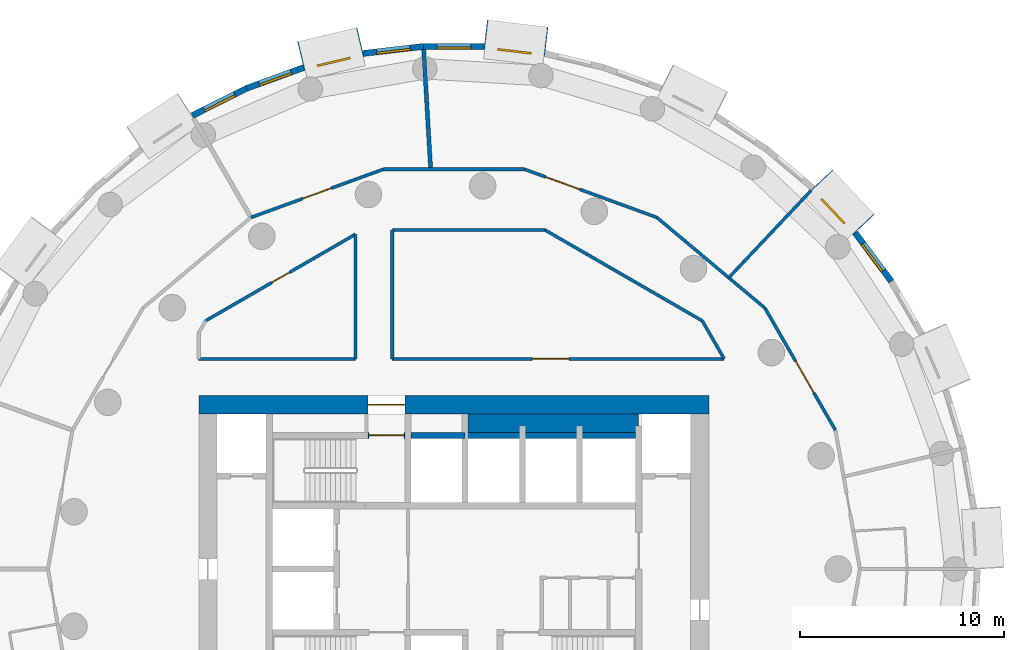
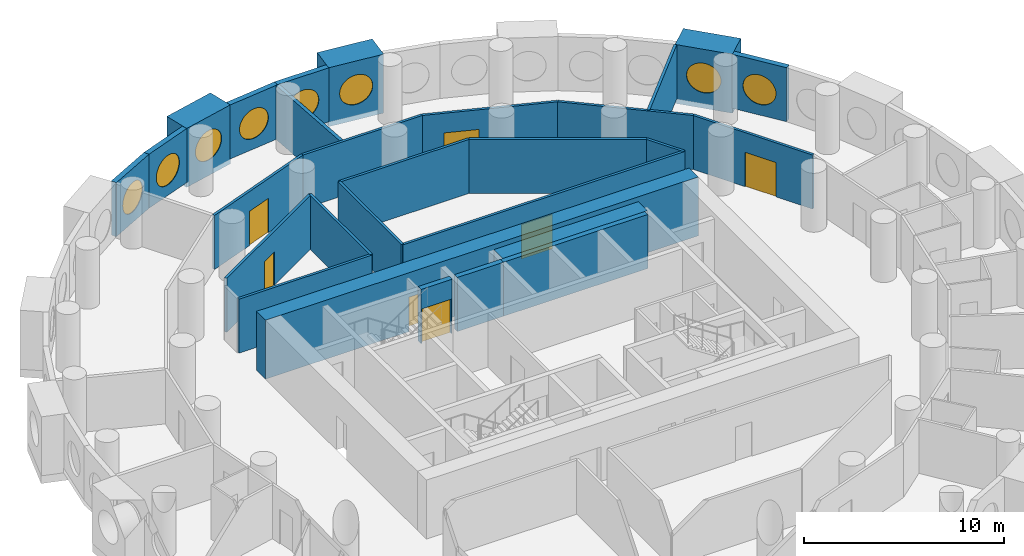
# One storey, part 7 of 10: 28 walls, 8 windows, 7 doors, 15 openings.
"""IFC4 building model written with IfcOpenShell, lengths in metres."""

from ifc_helpers import new_model, si_unit, direction, frame, frame_2d, origin, origin_2d, place, context, subcontext, project, spatial, rectangle, circle, extrude, material, layer, layer_set, type_object, element, fill, save


model = new_model("IFC4")

# Units and contexts
model_context = context("Model", 3, precision=1e-05, world=origin(), true_north=direction((0.0, 1.0)))
body_context = subcontext(model_context, "Body", "Model", "MODEL_VIEW")
ifc_project = project(units=[si_unit("LENGTHUNIT", "METRE"), si_unit("AREAUNIT", "SQUARE_METRE"), si_unit("VOLUMEUNIT", "CUBIC_METRE"), si_unit("PLANEANGLEUNIT", "RADIAN"), si_unit("MASSUNIT", "GRAM", prefix="KILO")], contexts=[model_context])

# Site, building, storey
site_placement = place(None, origin())
site = spatial("IfcSite", under=ifc_project, at=site_placement, CompositionType="ELEMENT")
building_placement = place(site_placement, origin())
building = spatial("IfcBuilding", under=site, at=building_placement, Name="Tracery Tower", CompositionType="ELEMENT")
storey_placement = place(building_placement, frame((0.0, 0.0, 194.39990234375)))
storey = spatial("IfcBuildingStorey", under=building, at=storey_placement, Name="L50", CompositionType="ELEMENT", Elevation=194.39990234375)

# Wall
ifc_material_1 = material(Name="Concrete C50/60", Category="concrete")
ifc_layer_1 = layer(ifc_material_1, 0.89990234375)
ifc_layer_set_1 = layer_set([ifc_layer_1], Name="Core strip wall 900 C50")
wall_type_1 = type_object("IfcWallType", Name="Core strip wall 900 C50", PredefinedType="SOLIDWALL", material=ifc_layer_set_1)
wall_1_placement = place(storey_placement, frame((0.699951171875, 7.14990234375, 0.0), z_axis=(0.0, 0.0, 1.0), x_axis=(1.0, 0.0, 0.0)))
element("IfcWall", 1, at=wall_1_placement, inside=storey, type_object=wall_type_1, Name="L50 F thick N E", PredefinedType="SOLIDWALL", context=body_context, shape_type="SweptSolid", body=[
    extrude(rectangle(XDim=8.35009765625, YDim=0.89990234375, at=frame_2d((4.175048828125, 0.0))), origin(), (0.0, 0.0, 1.0), 3.300048828125),
])

# Wall, opening, door
ifc_material_2 = material(Name="Concrete C50/60", Category="concrete")
ifc_layer_2 = layer(ifc_material_2, 0.89990234375)
ifc_layer_set_2 = layer_set([ifc_layer_2], Name="Core wall 900 C50")
wall_type_2 = type_object("IfcWallType", Name="Core wall 900 C50", PredefinedType="SOLIDWALL", material=ifc_layer_set_2)
wall_2_placement = place(storey_placement, frame((-12.5, 8.050048828125, 0.0), z_axis=(0.0, 0.0, 1.0), x_axis=(1.0, 0.0, 0.0)))
wall_2 = element("IfcWall", 2, at=wall_2_placement, inside=storey, type_object=wall_type_2, Name="L50 outer N", PredefinedType="SOLIDWALL", context=body_context, shape_type="SweptSolid", body=[
    extrude(rectangle(XDim=25.0, YDim=0.89990234375, at=frame_2d((12.5, 0.0))), origin(), (0.0, 0.0, 1.0), 3.60009765625),
])
opening_1_placement = place(wall_2_placement, frame((8.300048828125, 0.0, 0.0)))
opening_1 = element("IfcOpeningElement", 3, at=opening_1_placement, cuts=wall_2, Name="Opening KD13", PredefinedType="OPENING", context=body_context, shape_type="SweptSolid", body=[
    extrude(rectangle(XDim=1.800048828125, YDim=2.10009765625, at=frame_2d((0.89990234375, 1.050048828125))), frame((0.0, 0.449951171875, 0.0), z_axis=(0.0, -1.0, 0.0), x_axis=(1.0, 0.0, 0.0)), (0.0, 0.0, 1.0), 0.89990234375),
])
ifc_material_3 = material(Name="Steel fire door", Category="steel")
door_type_1 = type_object("IfcDoorType", Name="Core exit door 1800 double", OperationType="NOTDEFINED", PredefinedType="DOOR", material=ifc_material_3)
door_1_placement = place(opening_1_placement, origin())
door_1 = element("IfcDoor", 4, at=door_1_placement, inside=storey, type_object=door_type_1, Name="Core exit door", OperationType="DOUBLE_DOOR_SINGLE_SWING", OverallHeight=2.10009765625, OverallWidth=1.800048828125, PredefinedType="DOOR", context=body_context, shape_type="SweptSolid", body=[
    extrude(rectangle(XDim=1.800048828125, YDim=2.10009765625, at=frame_2d((0.89990234375, 1.050048828125))), frame((0.0, 0.02490234375, 0.0), z_axis=(0.0, -1.0, 0.0), x_axis=(1.0, 0.0, 0.0)), (0.0, 0.0, 1.0), 0.050048828125),
])
fill(opening_1, door_1)

# Wall, opening, window
ifc_material_4 = material(Name="Precast concrete C50/60", Category="concrete")
ifc_layer_3 = layer(ifc_material_4, 1.449951171875)
ifc_layer_set_3 = layer_set([ifc_layer_3], Name="Deep-set bay unit 3000 x 3600, slab edge 300")
wall_type_3 = type_object("IfcWallType", Name="Deep-set bay unit 3000 x 3600, slab edge 300", PredefinedType="ELEMENTEDWALL", material=ifc_layer_set_3)
wall_3_placement = place(storey_placement, frame((20.0712890625, 16.8740234375, -0.2998046875), z_axis=(0.0, 0.0, 1.0), x_axis=(-0.686217177108, 0.727396718334, 0.0)))
wall_3 = element("IfcWall", 5, at=wall_3_placement, inside=storey, type_object=wall_type_3, Name="Deep-set bay unit 7 at L50", PredefinedType="ELEMENTEDWALL", context=body_context, shape_type="SweptSolid", body=[
    extrude(rectangle(XDim=3.0, YDim=1.449951171875, at=frame_2d((1.5, 0.0))), origin(), (0.0, 0.0, 1.0), 3.599853515625),
])
opening_2_placement = place(wall_3_placement, frame((1.5, 0.0, 1.85009765625)))
opening_2 = element("IfcOpeningElement", 6, at=opening_2_placement, cuts=wall_3, Name="Opening WN1", PredefinedType="OPENING", context=body_context, shape_type="SweptSolid", body=[
    extrude(circle(Radius=0.9000244140625, at=origin_2d()), frame((0.0, 0.73486328125, 0.0), z_axis=(0.0, -1.0, 0.0), x_axis=(1.0, 0.0, 0.0)), (0.0, 0.0, 1.0), 1.469970703125),
])
ifc_material_5 = material(Name="Aluminium frame with tinted double glazing", Category="aluminium")
window_type = type_object("IfcWindowType", Name="Round window 1800", PartitioningType="SINGLE_PANEL", PredefinedType="WINDOW", material=ifc_material_5)
window_1_placement = place(opening_2_placement, origin())
window_1 = element("IfcWindow", 7, at=window_1_placement, inside=storey, type_object=window_type, Name="Round window 7 at L50", OverallHeight=1.800048828125, OverallWidth=1.800048828125, PartitioningType="SINGLE_PANEL", PredefinedType="WINDOW", context=body_context, shape_type="SweptSolid", body=[
    extrude(circle(Radius=0.9000244140625, at=origin_2d()), frame((0.0, 0.69482421875, 0.0), z_axis=(0.0, -1.0, 0.0), x_axis=(1.0, 0.0, 0.0)), (0.0, 0.0, 1.0), 0.10009765625),
])
fill(opening_2, window_1)

wall_4_placement = place(storey_placement, frame((4.529052734375, 25.827880859375, -0.2998046875), z_axis=(0.0, 0.0, 1.0), x_axis=(-0.9932342274, 0.116128246006, 0.0)))
wall_4 = element("IfcWall", 8, at=wall_4_placement, inside=storey, type_object=wall_type_3, Name="Deep-set bay unit 13 at L50", PredefinedType="ELEMENTEDWALL", context=body_context, shape_type="SweptSolid", body=[
    extrude(rectangle(XDim=3.0, YDim=1.449951171875, at=frame_2d((1.5, 0.0))), origin(), (0.0, 0.0, 1.0), 3.599853515625),
])
opening_3_placement = place(wall_4_placement, frame((1.5, 0.0, 1.85009765625)))
opening_3 = element("IfcOpeningElement", 9, at=opening_3_placement, cuts=wall_4, Name="Opening WN1", PredefinedType="OPENING", context=body_context, shape_type="SweptSolid", body=[
    extrude(circle(Radius=0.9000244140625, at=origin_2d()), frame((0.0, 0.73486328125, 0.0), z_axis=(0.0, -1.0, 0.0), x_axis=(1.0, 0.0, 0.0)), (0.0, 0.0, 1.0), 1.469970703125),
])
window_2_placement = place(opening_3_placement, origin())
window_2 = element("IfcWindow", 10, at=window_2_placement, inside=storey, type_object=window_type, Name="Round window 13 at L50", OverallHeight=1.800048828125, OverallWidth=1.800048828125, PartitioningType="SINGLE_PANEL", PredefinedType="WINDOW", context=body_context, shape_type="SweptSolid", body=[
    extrude(circle(Radius=0.9000244140625, at=origin_2d()), frame((0.0, 0.69482421875, 0.0), z_axis=(0.0, -1.0, 0.0), x_axis=(1.0, 0.0, 0.0)), (0.0, 0.0, 1.0), 0.10009765625),
])
fill(opening_3, window_2)

wall_5_placement = place(storey_placement, frame((-4.57763671875, 25.8193359375, -0.2998046875), z_axis=(0.0, 0.0, 1.0), x_axis=(-0.973042333261, -0.23062657627, 0.0)))
wall_5 = element("IfcWall", 11, at=wall_5_placement, inside=storey, type_object=wall_type_3, Name="Deep-set bay unit 16 at L50", PredefinedType="ELEMENTEDWALL", context=body_context, shape_type="SweptSolid", body=[
    extrude(rectangle(XDim=3.0, YDim=1.449951171875, at=frame_2d((1.5, 0.0))), origin(), (0.0, 0.0, 1.0), 3.599853515625),
])
opening_4_placement = place(wall_5_placement, frame((1.5, 0.0, 1.85009765625)))
opening_4 = element("IfcOpeningElement", 12, at=opening_4_placement, cuts=wall_5, Name="Opening WN1", PredefinedType="OPENING", context=body_context, shape_type="SweptSolid", body=[
    extrude(circle(Radius=0.9000244140625, at=origin_2d()), frame((0.0, 0.73486328125, 0.0), z_axis=(0.0, -1.0, 0.0), x_axis=(1.0, 0.0, 0.0)), (0.0, 0.0, 1.0), 1.469970703125),
])
window_3_placement = place(opening_4_placement, origin())
window_3 = element("IfcWindow", 13, at=window_3_placement, inside=storey, type_object=window_type, Name="Round window 16 at L50", OverallHeight=1.800048828125, OverallWidth=1.800048828125, PartitioningType="SINGLE_PANEL", PredefinedType="WINDOW", context=body_context, shape_type="SweptSolid", body=[
    extrude(circle(Radius=0.9000244140625, at=origin_2d()), frame((0.0, 0.69482421875, 0.0), z_axis=(0.0, -1.0, 0.0), x_axis=(1.0, 0.0, 0.0)), (0.0, 0.0, 1.0), 0.10009765625),
])
fill(opening_4, window_3)

ifc_material_6 = material(Name="Precast concrete C50/60", Category="concrete")
ifc_layer_4 = layer(ifc_material_6, 0.300048828125)
ifc_layer_set_4 = layer_set([ifc_layer_4], Name="Facade panel 3000 x 3300")
wall_type_4 = type_object("IfcWallType", Name="Facade panel 3000 x 3300", PredefinedType="SOLIDWALL", material=ifc_layer_set_4)
wall_6_placement = place(storey_placement, frame((21.42822265625, 14.093505859375, 0.0), z_axis=(0.0, 0.0, 1.0), x_axis=(-0.597197580538, 0.80209416517, 0.0)))
wall_6 = element("IfcWall", 14, at=wall_6_placement, inside=storey, type_object=wall_type_4, Name="Facade panel 6 at L50", PredefinedType="SOLIDWALL", context=body_context, shape_type="SweptSolid", body=[
    extrude(rectangle(XDim=2.972900390625, YDim=0.300048828125, at=frame_2d((1.486328125, 0.0))), origin(), (0.0, 0.0, 1.0), 3.300048828125),
])
opening_5_placement = place(wall_6_placement, frame((1.486328125, 0.0, 1.5498046875)))
opening_5 = element("IfcOpeningElement", 15, at=opening_5_placement, cuts=wall_6, Name="Opening WN1", PredefinedType="OPENING", context=body_context, shape_type="SweptSolid", body=[
    extrude(circle(Radius=0.9000244140625, at=origin_2d()), frame((0.0, 0.159912109375, 0.0), z_axis=(0.0, -1.0, 0.0), x_axis=(1.0, 0.0, 0.0)), (0.0, 0.0, 1.0), 0.320068359375),
])
window_4_placement = place(opening_5_placement, origin())
window_4 = element("IfcWindow", 16, at=window_4_placement, inside=storey, type_object=window_type, Name="Round window 6 at L50", OverallHeight=1.800048828125, OverallWidth=1.800048828125, PartitioningType="SINGLE_PANEL", PredefinedType="WINDOW", context=body_context, shape_type="SweptSolid", body=[
    extrude(circle(Radius=0.9000244140625, at=origin_2d()), frame((0.0, 0.1201171875, 0.0), z_axis=(0.0, -1.0, 0.0), x_axis=(1.0, 0.0, 0.0)), (0.0, 0.0, 1.0), 0.10009765625),
])
fill(opening_5, window_4)

wall_7_placement = place(storey_placement, frame((1.481689453125, 25.60400390625, 0.0), z_axis=(0.0, 0.0, 1.0), x_axis=(-1.0, 0.0, 0.0)))
wall_7 = element("IfcWall", 17, at=wall_7_placement, inside=storey, type_object=wall_type_4, Name="Facade panel 14 at L50", PredefinedType="SOLIDWALL", context=body_context, shape_type="SweptSolid", body=[
    extrude(rectangle(XDim=2.972900390625, YDim=0.300048828125, at=frame_2d((1.486328125, 0.0))), origin(), (0.0, 0.0, 1.0), 3.300048828125),
])
opening_6_placement = place(wall_7_placement, frame((1.486328125, 0.0, 1.5498046875)))
opening_6 = element("IfcOpeningElement", 18, at=opening_6_placement, cuts=wall_7, Name="Opening WN1", PredefinedType="OPENING", context=body_context, shape_type="SweptSolid", body=[
    extrude(circle(Radius=0.9000244140625, at=origin_2d()), frame((0.0, 0.159912109375, 0.0), z_axis=(0.0, -1.0, 0.0), x_axis=(1.0, 0.0, 0.0)), (0.0, 0.0, 1.0), 0.320068359375),
])
window_5_placement = place(opening_6_placement, origin())
window_5 = element("IfcWindow", 19, at=window_5_placement, inside=storey, type_object=window_type, Name="Round window 14 at L50", OverallHeight=1.800048828125, OverallWidth=1.800048828125, PartitioningType="SINGLE_PANEL", PredefinedType="WINDOW", context=body_context, shape_type="SweptSolid", body=[
    extrude(circle(Radius=0.9000244140625, at=origin_2d()), frame((0.0, 0.1201171875, 0.0), z_axis=(0.0, -1.0, 0.0), x_axis=(1.0, 0.0, 0.0)), (0.0, 0.0, 1.0), 0.10009765625),
])
fill(opening_6, window_5)

wall_8_placement = place(storey_placement, frame((-1.4912109375, 25.60400390625, 0.0), z_axis=(0.0, 0.0, 1.0), x_axis=(-0.993245010522, -0.1160359818, 0.0)))
wall_8 = element("IfcWall", 20, at=wall_8_placement, inside=storey, type_object=wall_type_4, Name="Facade panel 15 at L50", PredefinedType="SOLIDWALL", context=body_context, shape_type="SweptSolid", body=[
    extrude(rectangle(XDim=2.972900390625, YDim=0.300048828125, at=frame_2d((1.486328125, 0.0))), origin(), (0.0, 0.0, 1.0), 3.300048828125),
])
opening_7_placement = place(wall_8_placement, frame((1.486328125, 0.0, 1.5498046875)))
opening_7 = element("IfcOpeningElement", 21, at=opening_7_placement, cuts=wall_8, Name="Opening WN1", PredefinedType="OPENING", context=body_context, shape_type="SweptSolid", body=[
    extrude(circle(Radius=0.9000244140625, at=origin_2d()), frame((0.0, 0.159912109375, 0.0), z_axis=(0.0, -1.0, 0.0), x_axis=(1.0, 0.0, 0.0)), (0.0, 0.0, 1.0), 0.320068359375),
])
window_6_placement = place(opening_7_placement, origin())
window_6 = element("IfcWindow", 22, at=window_6_placement, inside=storey, type_object=window_type, Name="Round window 15 at L50", OverallHeight=1.800048828125, OverallWidth=1.800048828125, PartitioningType="SINGLE_PANEL", PredefinedType="WINDOW", context=body_context, shape_type="SweptSolid", body=[
    extrude(circle(Radius=0.9000244140625, at=origin_2d()), frame((0.0, 0.1201171875, 0.0), z_axis=(0.0, -1.0, 0.0), x_axis=(1.0, 0.0, 0.0)), (0.0, 0.0, 1.0), 0.10009765625),
])
fill(opening_7, window_6)

wall_9_placement = place(storey_placement, frame((-7.36474609375, 24.566650390625, 0.0), z_axis=(0.0, 0.0, 1.0), x_axis=(-0.939690282133, -0.342026568652, 0.0)))
wall_9 = element("IfcWall", 23, at=wall_9_placement, inside=storey, type_object=wall_type_4, Name="Facade panel 17 at L50", PredefinedType="SOLIDWALL", context=body_context, shape_type="SweptSolid", body=[
    extrude(rectangle(XDim=2.972900390625, YDim=0.300048828125, at=frame_2d((1.486328125, 0.0))), origin(), (0.0, 0.0, 1.0), 3.300048828125),
])
opening_8_placement = place(wall_9_placement, frame((1.486328125, 0.0, 1.5498046875)))
opening_8 = element("IfcOpeningElement", 24, at=opening_8_placement, cuts=wall_9, Name="Opening WN1", PredefinedType="OPENING", context=body_context, shape_type="SweptSolid", body=[
    extrude(circle(Radius=0.9000244140625, at=origin_2d()), frame((0.0, 0.159912109375, 0.0), z_axis=(0.0, -1.0, 0.0), x_axis=(1.0, 0.0, 0.0)), (0.0, 0.0, 1.0), 0.320068359375),
])
window_7_placement = place(opening_8_placement, origin())
window_7 = element("IfcWindow", 25, at=window_7_placement, inside=storey, type_object=window_type, Name="Round window 17 at L50", OverallHeight=1.800048828125, OverallWidth=1.800048828125, PartitioningType="SINGLE_PANEL", PredefinedType="WINDOW", context=body_context, shape_type="SweptSolid", body=[
    extrude(circle(Radius=0.9000244140625, at=origin_2d()), frame((0.0, 0.1201171875, 0.0), z_axis=(0.0, -1.0, 0.0), x_axis=(1.0, 0.0, 0.0)), (0.0, 0.0, 1.0), 0.10009765625),
])
fill(opening_8, window_7)

wall_10_placement = place(storey_placement, frame((-10.158447265625, 23.5498046875, 0.0), z_axis=(0.0, 0.0, 1.0), x_axis=(-0.893637442555, -0.448789618045, 0.0)))
wall_10 = element("IfcWall", 26, at=wall_10_placement, inside=storey, type_object=wall_type_4, Name="Facade panel 18 at L50", PredefinedType="SOLIDWALL", context=body_context, shape_type="SweptSolid", body=[
    extrude(rectangle(XDim=2.972900390625, YDim=0.300048828125, at=frame_2d((1.486328125, 0.0))), origin(), (0.0, 0.0, 1.0), 3.300048828125),
])
opening_9_placement = place(wall_10_placement, frame((1.486328125, 0.0, 1.5498046875)))
opening_9 = element("IfcOpeningElement", 27, at=opening_9_placement, cuts=wall_10, Name="Opening WN1", PredefinedType="OPENING", context=body_context, shape_type="SweptSolid", body=[
    extrude(circle(Radius=0.9000244140625, at=origin_2d()), frame((0.0, 0.159912109375, 0.0), z_axis=(0.0, -1.0, 0.0), x_axis=(1.0, 0.0, 0.0)), (0.0, 0.0, 1.0), 0.320068359375),
])
window_8_placement = place(opening_9_placement, origin())
window_8 = element("IfcWindow", 28, at=window_8_placement, inside=storey, type_object=window_type, Name="Round window 18 at L50", OverallHeight=1.800048828125, OverallWidth=1.800048828125, PartitioningType="SINGLE_PANEL", PredefinedType="WINDOW", context=body_context, shape_type="SweptSolid", body=[
    extrude(circle(Radius=0.9000244140625, at=origin_2d()), frame((0.0, 0.1201171875, 0.0), z_axis=(0.0, -1.0, 0.0), x_axis=(1.0, 0.0, 0.0)), (0.0, 0.0, 1.0), 0.10009765625),
])
fill(opening_9, window_8)

# Walls
ifc_material_7 = material(Name="Plasterboard on steel studs", Category="steel")
ifc_layer_5 = layer(ifc_material_7, 0.14990234375)
ifc_layer_set_5 = layer_set([ifc_layer_5], Name="Partition 150 acoustic unit wall")
wall_type_5 = type_object("IfcWallType", Name="Partition 150 acoustic unit wall", PredefinedType="PARTITIONING", material=ifc_layer_set_5)
wall_11_placement = place(storey_placement, frame((13.462890625, 14.27001953125, 0.0), z_axis=(0.0, 0.0, 1.0), x_axis=(0.6862502776, 0.72736549031, 0.0)))
element("IfcWall", 29, at=wall_11_placement, inside=storey, type_object=wall_type_5, Name="Unit wall RB7-044", PredefinedType="PARTITIONING", context=body_context, shape_type="SweptSolid", body=[
    extrude(rectangle(XDim=5.878662109375, YDim=0.14990234375, at=frame_2d((2.939453125, 0.0))), origin(), (0.0, 0.0, 1.0), 3.300048828125),
])
ifc_material_8 = material(Name="Plasterboard on steel studs", Category="steel")
ifc_layer_6 = layer(ifc_material_8, 0.14990234375)
ifc_layer_set_6 = layer_set([ifc_layer_6], Name="Partition 150 corridor wall")
wall_type_6 = type_object("IfcWallType", Name="Partition 150 corridor wall", PredefinedType="PARTITIONING", material=ifc_layer_set_6)
wall_12_placement = place(storey_placement, frame((-12.50390625, 10.300048828125, 0.0), z_axis=(0.0, 0.0, 1.0), x_axis=(1.0, 0.0, 0.0)))
element("IfcWall", 30, at=wall_12_placement, inside=storey, type_object=wall_type_6, Name="Corridor wall RB7-001", PredefinedType="PARTITIONING", context=body_context, shape_type="SweptSolid", body=[
    extrude(rectangle(XDim=7.68701171875, YDim=0.14990234375, at=frame_2d((3.843505859375, 0.0))), origin(), (0.0, 0.0, 1.0), 3.300048828125),
])

# Wall, opening, door
wall_13_placement = place(storey_placement, frame((-3.02490234375, 10.300048828125, 0.0), z_axis=(0.0, 0.0, 1.0), x_axis=(1.0, 0.0, 0.0)))
wall_13 = element("IfcWall", 31, at=wall_13_placement, inside=storey, type_object=wall_type_6, Name="Corridor wall RB7-002", PredefinedType="PARTITIONING", context=body_context, shape_type="SweptSolid", body=[
    extrude(rectangle(XDim=16.261962890625, YDim=0.14990234375, at=frame_2d((8.130859375, 0.0))), origin(), (0.0, 0.0, 1.0), 3.300048828125),
])
opening_10_placement = place(wall_13_placement, frame((6.863037109375, 0.0, 0.0)))
opening_10 = element("IfcOpeningElement", 32, at=opening_10_placement, cuts=wall_13, Name="Opening RB7-02", PredefinedType="OPENING", context=body_context, shape_type="SweptSolid", body=[
    extrude(rectangle(XDim=1.800048828125, YDim=2.10009765625, at=frame_2d((0.89990234375, 1.050048828125))), frame((0.0, 0.074951171875, 0.0), z_axis=(0.0, -1.0, 0.0), x_axis=(1.0, 0.0, 0.0)), (0.0, 0.0, 1.0), 0.14990234375),
])
ifc_material_9 = material(Name="Timber door leaf", Category="wood")
door_type_2 = type_object("IfcDoorType", Name="Door double lounge 1800", OperationType="NOTDEFINED", PredefinedType="DOOR", material=ifc_material_9)
door_2_placement = place(opening_10_placement, origin())
door_2 = element("IfcDoor", 33, at=door_2_placement, inside=storey, type_object=door_type_2, Name="Double lounge door RB7-02", OperationType="DOUBLE_DOOR_SINGLE_SWING", OverallHeight=2.10009765625, OverallWidth=1.800048828125, PredefinedType="DOOR", context=body_context, shape_type="SweptSolid", body=[
    extrude(rectangle(XDim=1.800048828125, YDim=2.10009765625, at=frame_2d((0.89990234375, 1.050048828125))), frame((0.0, 0.02490234375, 0.0), z_axis=(0.0, -1.0, 0.0), x_axis=(1.0, 0.0, 0.0)), (0.0, 0.0, 1.0), 0.050048828125),
])
fill(opening_10, door_2)

# Walls
wall_14_placement = place(storey_placement, frame((12.162109375, 12.162109375, 0.0), z_axis=(0.0, 0.0, 1.0), x_axis=(0.499961633463, -0.866047553582, 0.0)))
element("IfcWall", 34, at=wall_14_placement, inside=storey, type_object=wall_type_6, Name="Corridor wall RB7-005", PredefinedType="PARTITIONING", context=body_context, shape_type="SweptSolid", body=[
    extrude(rectangle(XDim=2.150146484375, YDim=0.14990234375, at=frame_2d((1.0751953125, 0.0))), origin(), (0.0, 0.0, 1.0), 3.300048828125),
])
wall_15_placement = place(storey_placement, frame((9.943359375, 17.22216796875, 0.0), z_axis=(0.0, 0.0, 1.0), x_axis=(0.766192104565, -0.642611592567, 0.0)))
element("IfcWall", 35, at=wall_15_placement, inside=storey, type_object=wall_type_6, Name="Corridor wall RB7-008", PredefinedType="PARTITIONING", context=body_context, shape_type="SweptSolid", body=[
    extrude(rectangle(XDim=6.906494140625, YDim=0.14990234375, at=frame_2d((3.453125, 0.0))), origin(), (0.0, 0.0, 1.0), 3.300048828125),
])

# Wall, opening, door
wall_16_placement = place(storey_placement, frame((15.235107421875, 12.783935546875, 0.0), z_axis=(0.0, 0.0, 1.0), x_axis=(0.499914202267, -0.866074933462, 0.0)))
wall_16 = element("IfcWall", 36, at=wall_16_placement, inside=storey, type_object=wall_type_6, Name="Corridor wall RB7-009", PredefinedType="PARTITIONING", context=body_context, shape_type="SweptSolid", body=[
    extrude(rectangle(XDim=6.906982421875, YDim=0.14990234375, at=frame_2d((3.45361328125, 0.0))), origin(), (0.0, 0.0, 1.0), 3.300048828125),
])
opening_11_placement = place(wall_16_placement, frame((3.00390625, 0.0, 0.0)))
opening_11 = element("IfcOpeningElement", 37, at=opening_11_placement, cuts=wall_16, Name="Opening RB7-07", PredefinedType="OPENING", context=body_context, shape_type="SweptSolid", body=[
    extrude(rectangle(XDim=1.800048828125, YDim=2.10009765625, at=frame_2d((0.89990234375, 1.050048828125))), frame((0.0, 0.074951171875, 0.0), z_axis=(0.0, -1.0, 0.0), x_axis=(1.0, 0.0, 0.0)), (0.0, 0.0, 1.0), 0.14990234375),
])
door_3_placement = place(opening_11_placement, origin())
door_3 = element("IfcDoor", 38, at=door_3_placement, inside=storey, type_object=door_type_2, Name="Double lounge door RB7-07", OperationType="DOUBLE_DOOR_SINGLE_SWING", OverallHeight=2.10009765625, OverallWidth=1.800048828125, PredefinedType="DOOR", context=body_context, shape_type="SweptSolid", body=[
    extrude(rectangle(XDim=1.800048828125, YDim=2.10009765625, at=frame_2d((0.89990234375, 1.050048828125))), frame((0.0, 0.02490234375, 0.0), z_axis=(0.0, -1.0, 0.0), x_axis=(1.0, 0.0, 0.0)), (0.0, 0.0, 1.0), 0.050048828125),
])
fill(opening_11, door_3)

# Wall
wall_17_placement = place(storey_placement, frame((-4.821044921875, 10.300048828125, 0.0), z_axis=(0.0, 0.0, 1.0), x_axis=(0.0, 1.0, 0.0)))
element("IfcWall", 39, at=wall_17_placement, inside=storey, type_object=wall_type_6, Name="Corridor wall RB7-014", PredefinedType="PARTITIONING", context=body_context, shape_type="SweptSolid", body=[
    extrude(rectangle(XDim=6.100830078125, YDim=0.14990234375, at=frame_2d((3.05029296875, 0.0))), origin(), (0.0, 0.0, 1.0), 3.300048828125),
])

# Wall, opening, door
wall_18_placement = place(storey_placement, frame((-12.162109375, 12.162109375, 0.0), z_axis=(0.0, 0.0, 1.0), x_axis=(0.866004766557, 0.500035743023, 0.0)))
wall_18 = element("IfcWall", 40, at=wall_18_placement, inside=storey, type_object=wall_type_6, Name="Corridor wall RB7-015", PredefinedType="PARTITIONING", context=body_context, shape_type="SweptSolid", body=[
    extrude(rectangle(XDim=8.47705078125, YDim=0.14990234375, at=frame_2d((4.238525390625, 0.0))), origin(), (0.0, 0.0, 1.0), 3.300048828125),
])
opening_12_placement = place(wall_18_placement, frame((3.739013671875, 0.0, 0.0)))
opening_12 = element("IfcOpeningElement", 41, at=opening_12_placement, cuts=wall_18, Name="Opening RB7-01", PredefinedType="OPENING", context=body_context, shape_type="SweptSolid", body=[
    extrude(rectangle(XDim=1.0, YDim=2.0400390625, at=frame_2d((0.5, 1.02001953125))), frame((0.0, 0.074951171875, 0.0), z_axis=(0.0, -1.0, 0.0), x_axis=(1.0, 0.0, 0.0)), (0.0, 0.0, 1.0), 0.14990234375),
])
ifc_material_10 = material(Name="Timber door leaf", Category="wood")
door_type_3 = type_object("IfcDoorType", Name="Door communal room 1000", OperationType="NOTDEFINED", PredefinedType="DOOR", material=ifc_material_10)
door_4_placement = place(opening_12_placement, origin())
door_4 = element("IfcDoor", 42, at=door_4_placement, inside=storey, type_object=door_type_3, Name="Communal room door RB7-01", OperationType="SINGLE_SWING_LEFT", OverallHeight=2.0400390625, OverallWidth=1.0, PredefinedType="DOOR", context=body_context, shape_type="SweptSolid", body=[
    extrude(rectangle(XDim=1.0, YDim=2.0400390625, at=frame_2d((0.5, 1.02001953125))), frame((0.0, 0.02490234375, 0.0), z_axis=(0.0, -1.0, 0.0), x_axis=(1.0, 0.0, 0.0)), (0.0, 0.0, 1.0), 0.050048828125),
])
fill(opening_12, door_4)

# Walls
wall_19_placement = place(storey_placement, frame((4.451904296875, 16.614013671875, 0.0), z_axis=(0.0, 0.0, 1.0), x_axis=(0.866005203721, -0.500034985904, 0.0)))
element("IfcWall", 43, at=wall_19_placement, inside=storey, type_object=wall_type_6, Name="Corridor wall RB7-016", PredefinedType="PARTITIONING", context=body_context, shape_type="SweptSolid", body=[
    extrude(rectangle(XDim=8.903076171875, YDim=0.14990234375, at=frame_2d((4.45166015625, 0.0))), origin(), (0.0, 0.0, 1.0), 3.300048828125),
])
wall_20_placement = place(storey_placement, frame((-3.02099609375, 16.614013671875, 0.0), z_axis=(0.0, 0.0, 1.0), x_axis=(1.0, 0.0, 0.0)))
element("IfcWall", 44, at=wall_20_placement, inside=storey, type_object=wall_type_6, Name="Corridor wall RB7-017", PredefinedType="PARTITIONING", context=body_context, shape_type="SweptSolid", body=[
    extrude(rectangle(XDim=7.472900390625, YDim=0.14990234375, at=frame_2d((3.736328125, 0.0))), origin(), (0.0, 0.0, 1.0), 3.300048828125),
])
wall_21_placement = place(storey_placement, frame((-3.02099609375, 10.300048828125, 0.0), z_axis=(0.0, 0.0, 1.0), x_axis=(0.0, 1.0, 0.0)))
element("IfcWall", 45, at=wall_21_placement, inside=storey, type_object=wall_type_6, Name="Corridor wall RB7-018", PredefinedType="PARTITIONING", context=body_context, shape_type="SweptSolid", body=[
    extrude(rectangle(XDim=6.31396484375, YDim=0.14990234375, at=frame_2d((3.156982421875, 0.0))), origin(), (0.0, 0.0, 1.0), 3.300048828125),
])
wall_22_placement = place(storey_placement, frame((-3.452880859375, 19.5859375, 0.0), z_axis=(0.0, 0.0, 1.0), x_axis=(1.0, 0.0, 0.0)))
element("IfcWall", 46, at=wall_22_placement, inside=storey, type_object=wall_type_6, Name="Corridor wall RB7-019", PredefinedType="PARTITIONING", context=body_context, shape_type="SweptSolid", body=[
    extrude(rectangle(XDim=6.90576171875, YDim=0.14990234375, at=frame_2d((3.452880859375, 0.0))), origin(), (0.0, 0.0, 1.0), 3.300048828125),
])

# Wall, opening, door
wall_23_placement = place(storey_placement, frame((3.452880859375, 19.5859375, 0.0), z_axis=(0.0, 0.0, 1.0), x_axis=(0.939672634566, -0.342075050021, 0.0)))
wall_23 = element("IfcWall", 47, at=wall_23_placement, inside=storey, type_object=wall_type_6, Name="Corridor wall RB7-020", PredefinedType="PARTITIONING", context=body_context, shape_type="SweptSolid", body=[
    extrude(rectangle(XDim=6.907958984375, YDim=0.14990234375, at=frame_2d((3.4541015625, 0.0))), origin(), (0.0, 0.0, 1.0), 3.300048828125),
])
opening_13_placement = place(wall_23_placement, frame((1.10400390625, 0.0, 0.0)))
opening_13 = element("IfcOpeningElement", 48, at=opening_13_placement, cuts=wall_23, Name="Opening RB7-08", PredefinedType="OPENING", context=body_context, shape_type="SweptSolid", body=[
    extrude(rectangle(XDim=1.800048828125, YDim=2.10009765625, at=frame_2d((0.89990234375, 1.050048828125))), frame((0.0, 0.074951171875, 0.0), z_axis=(0.0, -1.0, 0.0), x_axis=(1.0, 0.0, 0.0)), (0.0, 0.0, 1.0), 0.14990234375),
])
door_5_placement = place(opening_13_placement, origin())
door_5 = element("IfcDoor", 49, at=door_5_placement, inside=storey, type_object=door_type_2, Name="Double lounge door RB7-08", OperationType="DOUBLE_DOOR_SINGLE_SWING", OverallHeight=2.10009765625, OverallWidth=1.800048828125, PredefinedType="DOOR", context=body_context, shape_type="SweptSolid", body=[
    extrude(rectangle(XDim=1.800048828125, YDim=2.10009765625, at=frame_2d((0.89990234375, 1.050048828125))), frame((0.0, 0.02490234375, 0.0), z_axis=(0.0, -1.0, 0.0), x_axis=(1.0, 0.0, 0.0)), (0.0, 0.0, 1.0), 0.050048828125),
])
fill(opening_13, door_5)

wall_24_placement = place(storey_placement, frame((-9.944091796875, 17.222900390625, 0.0), z_axis=(0.0, 0.0, 1.0), x_axis=(0.939672634566, 0.342075050021, 0.0)))
wall_24 = element("IfcWall", 50, at=wall_24_placement, inside=storey, type_object=wall_type_6, Name="Corridor wall RB7-021", PredefinedType="PARTITIONING", context=body_context, shape_type="SweptSolid", body=[
    extrude(rectangle(XDim=6.907958984375, YDim=0.14990234375, at=frame_2d((3.4541015625, 0.0))), origin(), (0.0, 0.0, 1.0), 3.300048828125),
])
opening_14_placement = place(wall_24_placement, frame((2.7041015625, 0.0, 0.0)))
opening_14 = element("IfcOpeningElement", 51, at=opening_14_placement, cuts=wall_24, Name="Opening RB7-09", PredefinedType="OPENING", context=body_context, shape_type="SweptSolid", body=[
    extrude(rectangle(XDim=1.5, YDim=2.10009765625, at=frame_2d((0.75, 1.050048828125))), frame((0.0, 0.074951171875, 0.0), z_axis=(0.0, -1.0, 0.0), x_axis=(1.0, 0.0, 0.0)), (0.0, 0.0, 1.0), 0.14990234375),
])
ifc_material_11 = material(Name="Timber door leaf", Category="wood")
door_type_4 = type_object("IfcDoorType", Name="Door double kitchen 1500", OperationType="NOTDEFINED", PredefinedType="DOOR", material=ifc_material_11)
door_6_placement = place(opening_14_placement, origin())
door_6 = element("IfcDoor", 52, at=door_6_placement, inside=storey, type_object=door_type_4, Name="Double kitchen door RB7-09", OperationType="DOUBLE_DOOR_SINGLE_SWING", OverallHeight=2.10009765625, OverallWidth=1.5, PredefinedType="DOOR", context=body_context, shape_type="SweptSolid", body=[
    extrude(rectangle(XDim=1.5, YDim=2.10009765625, at=frame_2d((0.75, 1.050048828125))), frame((0.0, 0.02490234375, 0.0), z_axis=(0.0, -1.0, 0.0), x_axis=(1.0, 0.0, 0.0)), (0.0, 0.0, 1.0), 0.050048828125),
])
fill(opening_14, door_6)

# Wall
ifc_material_12 = material(Name="Plasterboard on steel studs", Category="steel")
ifc_layer_7 = layer(ifc_material_12, 0.199951171875)
ifc_layer_set_7 = layer_set([ifc_layer_7], Name="Partition 200 compartment wall")
wall_type_7 = type_object("IfcWallType", Name="Partition 200 compartment wall", PredefinedType="PARTITIONING", material=ifc_layer_set_7)
wall_25_placement = place(storey_placement, frame((-1.48291015625, 25.4541015625, 0.0), z_axis=(0.0, 0.0, 1.0), x_axis=(0.058147412668, -0.998308007781, 0.0)))
element("IfcWall", 53, at=wall_25_placement, inside=storey, type_object=wall_type_7, Name="Compartment wall RB7-045", PredefinedType="PARTITIONING", context=body_context, shape_type="SweptSolid", body=[
    extrude(rectangle(XDim=5.878173828125, YDim=0.199951171875, at=frame_2d((2.93896484375, 0.0))), origin(), (0.0, 0.0, 1.0), 3.300048828125),
])

# Wall, opening, door
ifc_material_13 = material(Name="Concrete C50/60", Category="concrete")
ifc_layer_8 = layer(ifc_material_13, 0.300048828125)
ifc_layer_set_8 = layer_set([ifc_layer_8], Name="Stair wall 300 C50")
wall_type_8 = type_object("IfcWallType", Name="Stair wall 300 C50", PredefinedType="SOLIDWALL", material=ifc_layer_set_8)
wall_26_placement = place(storey_placement, frame((-4.199951171875, 6.550048828125, 0.0), z_axis=(0.0, 0.0, 1.0), x_axis=(1.0, 0.0, 0.0)))
wall_26 = element("IfcWall", 54, at=wall_26_placement, inside=storey, type_object=wall_type_8, Name="L50 F stair N", PredefinedType="SOLIDWALL", context=body_context, shape_type="SweptSolid", body=[
    extrude(rectangle(XDim=1.800048828125, YDim=0.300048828125, at=frame_2d((0.89990234375, 0.0))), origin(), (0.0, 0.0, 1.0), 3.300048828125),
])
opening_15_placement = place(wall_26_placement, frame((0.050048828125, 0.0, 0.0)))
opening_15 = element("IfcOpeningElement", 55, at=opening_15_placement, cuts=wall_26, Name="Opening KD3", PredefinedType="OPENING", context=body_context, shape_type="SweptSolid", body=[
    extrude(rectangle(XDim=1.699951171875, YDim=2.10009765625, at=frame_2d((0.85009765625, 1.050048828125))), frame((0.0, 0.14990234375, 0.0), z_axis=(0.0, -1.0, 0.0), x_axis=(1.0, 0.0, 0.0)), (0.0, 0.0, 1.0), 0.300048828125),
])
ifc_material_14 = material(Name="Steel fire door", Category="steel")
door_type_5 = type_object("IfcDoorType", Name="Core stair door 1700 double", OperationType="NOTDEFINED", PredefinedType="DOOR", material=ifc_material_14)
door_7_placement = place(opening_15_placement, origin())
door_7 = element("IfcDoor", 56, at=door_7_placement, inside=storey, type_object=door_type_5, Name="Stair door vest", OperationType="DOUBLE_DOOR_SINGLE_SWING", OverallHeight=2.10009765625, OverallWidth=1.699951171875, PredefinedType="DOOR", context=body_context, shape_type="SweptSolid", body=[
    extrude(rectangle(XDim=1.699951171875, YDim=2.10009765625, at=frame_2d((0.85009765625, 1.050048828125))), frame((0.0, 0.02490234375, 0.0), z_axis=(0.0, -1.0, 0.0), x_axis=(1.0, 0.0, 0.0)), (0.0, 0.0, 1.0), 0.050048828125),
])
fill(opening_15, door_7)

# Walls
wall_27_placement = place(storey_placement, frame((-2.10009765625, 6.550048828125, 0.0), z_axis=(0.0, 0.0, 1.0), x_axis=(1.0, 0.0, 0.0)))
element("IfcWall", 57, at=wall_27_placement, inside=storey, type_object=wall_type_8, Name="L50 F N E1", PredefinedType="SOLIDWALL", context=body_context, shape_type="SweptSolid", body=[
    extrude(rectangle(XDim=2.650146484375, YDim=0.300048828125, at=frame_2d((1.3251953125, 0.0))), origin(), (0.0, 0.0, 1.0), 3.300048828125),
])
wall_28_placement = place(storey_placement, frame((0.550048828125, 6.550048828125, 0.0), z_axis=(0.0, 0.0, 1.0), x_axis=(1.0, 0.0, 0.0)))
element("IfcWall", 58, at=wall_28_placement, inside=storey, type_object=wall_type_8, Name="L50 F stair strip N E", PredefinedType="SOLIDWALL", context=body_context, shape_type="SweptSolid", body=[
    extrude(rectangle(XDim=8.349853515625, YDim=0.300048828125, at=frame_2d((4.1748046875, 0.0))), origin(), (0.0, 0.0, 1.0), 3.300048828125),
])

save(model, "model.ifc")
